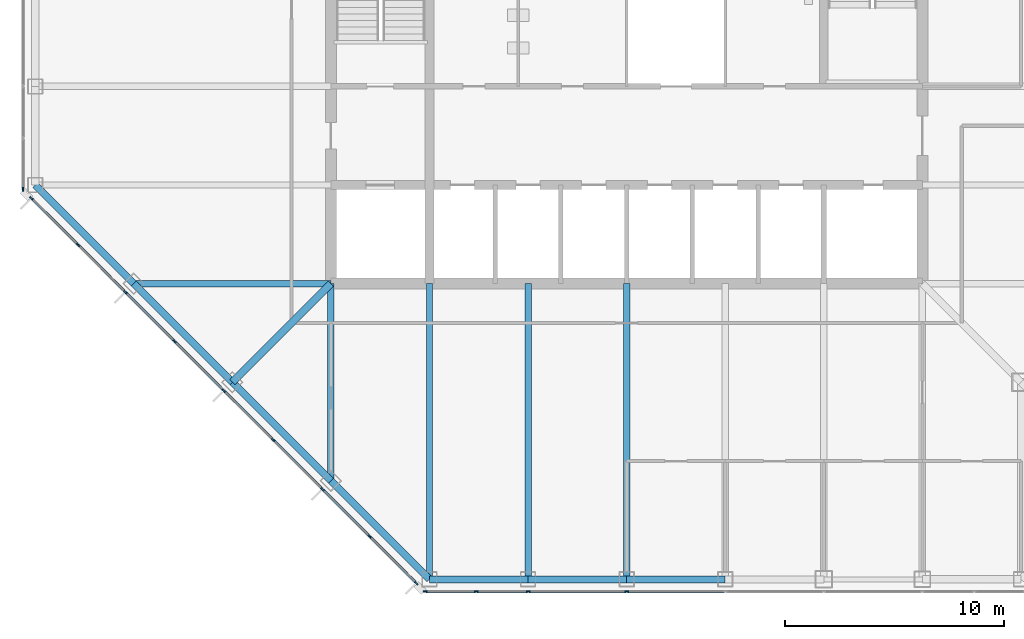
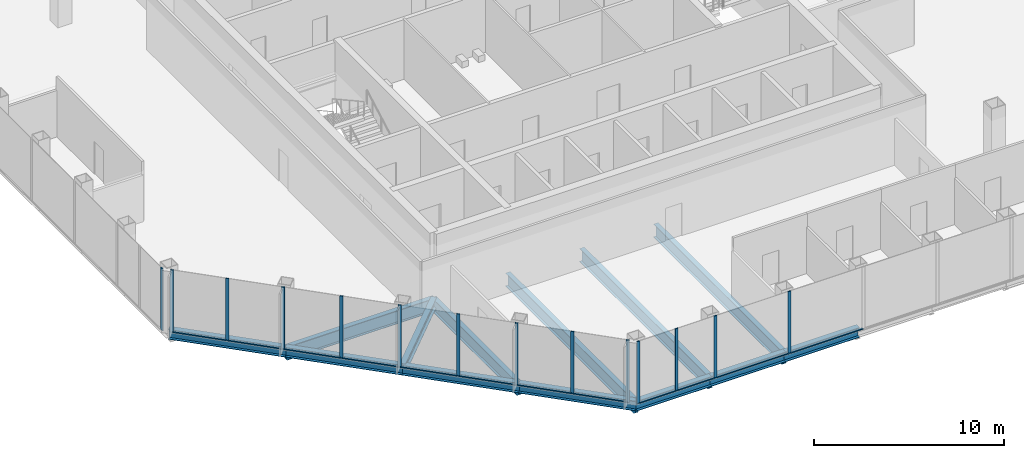
# One storey, part 2 of 12: 26 members, 13 beams, 3 elements without a shape of their own.
"""IFC4 building model written with IfcOpenShell, lengths in metres."""

import ifcopenshell
import ifcopenshell.guid

model = None  # the IFC model being written
_history = None  # IfcOwnerHistory: only IFC2X3 demands one
_inside = {}  # id of a spatial element -> (the spatial element, [elements in it])
_under = {}  # id of a project, library or spatial element -> (it, [spatial elements below it])
_declared = {}  # id of a project -> (the project, [libraries it declares])
_typed = {}  # id of a type object -> (the type object, [elements of that type])
_made_of = {}  # id of a material, layer set ... -> (it, [elements and type objects made of it])


def new_model(schema):
    """Start an empty IFC model of exactly this schema.

    Asked for "IFC4X3", IfcOpenShell would pick the latest addendum, in which some entities
    have other attributes; the version numbers below select the first issue.
    IFC2X3 requires an IfcOwnerHistory on every rooted entity: one is made here for all.
    """
    global model, _history
    if schema == "IFC4X3":
        model = ifcopenshell.file(schema_version=(4, 3, 0, 0))
    else:
        model = ifcopenshell.file(schema=schema)
    _inside.clear()
    _under.clear()
    _declared.clear()
    _typed.clear()
    _made_of.clear()
    _history = None
    if model.schema == "IFC2X3":
        org = make("IfcOrganization", Name="unknown")
        user = make(
            "IfcPersonAndOrganization",
            ThePerson=make("IfcPerson", FamilyName="unknown"),
            TheOrganization=org,
        )
        app = make(
            "IfcApplication",
            ApplicationDeveloper=org,
            Version="unknown",
            ApplicationFullName="unknown",
            ApplicationIdentifier="unknown",
        )
        _history = make(
            "IfcOwnerHistory",
            OwningUser=user,
            OwningApplication=app,
            ChangeAction="ADDED",
            CreationDate=0,
        )
    return model


def make(cls, **values):
    """One entity of the class cls with the attributes given. An attribute that is None is left unset."""
    return model.create_entity(
        cls, **{name: value for name, value in values.items() if value is not None}
    )


def rooted(cls, **values):
    """An entity with a GlobalId (a new one), such as an element, a storey or a relation."""
    return make(cls, GlobalId=ifcopenshell.guid.new(), OwnerHistory=_history, **values)


def si_unit(unit_type, name, prefix=None):
    """IfcSIUnit, for example si_unit("LENGTHUNIT", "METRE", prefix="MILLI")."""
    return make("IfcSIUnit", UnitType=unit_type, Prefix=prefix, Name=name)


def assignment(units):
    """IfcUnitAssignment: the units of a project."""
    return None if units is None else make("IfcUnitAssignment", Units=units)


def point(xyz):
    """IfcCartesianPoint."""
    return None if xyz is None else make("IfcCartesianPoint", Coordinates=xyz)


def direction(xyz):
    """IfcDirection."""
    return None if xyz is None else make("IfcDirection", DirectionRatios=xyz)


def frame(location, z_axis=None, x_axis=None):
    """IfcAxis2Placement3D, a coordinate frame: its origin and axes. An axis left out is left unset."""
    return make(
        "IfcAxis2Placement3D",
        Location=point(location),
        Axis=direction(z_axis),
        RefDirection=direction(x_axis),
    )


def frame_2d(location, x_axis=None):
    """IfcAxis2Placement2D, a coordinate frame in the plane: its origin and x axis."""
    return make(
        "IfcAxis2Placement2D", Location=point(location), RefDirection=direction(x_axis)
    )


def origin():
    """The frame at (0, 0, 0) with its axes left unset."""
    return frame((0.0, 0.0, 0.0))


def origin_2d():
    """The frame at (0, 0) in the plane with its x axis left unset."""
    return frame_2d((0.0, 0.0))


def place(relative_to, where):
    """IfcLocalPlacement: puts the frame where relative to a parent placement (None: the world)."""
    return make(
        "IfcLocalPlacement", PlacementRelTo=relative_to, RelativePlacement=where
    )


def context(
    kind, dimensions, precision=None, world=None, true_north=None, identifier=None
):
    """IfcGeometricRepresentationContext, for example the 3D "Model" context."""
    return make(
        "IfcGeometricRepresentationContext",
        ContextIdentifier=identifier,
        ContextType=kind,
        CoordinateSpaceDimension=dimensions,
        Precision=precision,
        WorldCoordinateSystem=world,
        TrueNorth=true_north,
    )


def subcontext(parent, identifier, kind, view, scale=None):
    """IfcGeometricRepresentationSubContext, for example "Body" below "Model"."""
    return make(
        "IfcGeometricRepresentationSubContext",
        ContextIdentifier=identifier,
        ContextType=kind,
        ParentContext=parent,
        TargetScale=scale,
        TargetView=view,
    )


def project(units=None, contexts=None):
    """IfcProject with its units and contexts."""
    return rooted(
        "IfcProject",
        Name="project",
        RepresentationContexts=contexts,
        UnitsInContext=assignment(units),
    )


def spatial(cls, under=None, at=None, **own):
    """A site, building, storey or space (cls), placed at a placement, below another one or the project."""
    s = rooted(cls, ObjectPlacement=at, **own)
    if under is not None:
        _under.setdefault(under.id(), (under, []))[1].append(s)
    return s


def profile(cls, at=None, kind="AREA", **sizes):
    """A parametric profile (cls). Its sizes go by their IFC names, for example OverallWidth=200.0."""
    return make(cls, ProfileType=kind, Position=at, **sizes)


def rectangle(**sizes):
    """IfcRectangleProfileDef."""
    return profile("IfcRectangleProfileDef", **sizes)


def i_section(**sizes):
    """IfcIShapeProfileDef."""
    return profile("IfcIShapeProfileDef", **sizes)


def extrude(swept, where, along, depth):
    """IfcExtrudedAreaSolid: the profile swept, set in the frame where, extruded along a direction by depth."""
    return make(
        "IfcExtrudedAreaSolid",
        SweptArea=swept,
        Position=where,
        ExtrudedDirection=direction(along),
        Depth=depth,
    )


def shape(context_of_items, identifier, shape_type, items):
    """IfcShapeRepresentation: the items that make up one representation, for example the "Body"."""
    return make(
        "IfcShapeRepresentation",
        ContextOfItems=context_of_items,
        RepresentationIdentifier=identifier,
        RepresentationType=shape_type,
        Items=items,
    )


def material(Name=None, Category=None):
    """IfcMaterial."""
    return make("IfcMaterial", Name=Name, Category=Category)


def material_profile(
    of_material, cross_section, Name=None, Category=None, Priority=None
):
    """IfcMaterialProfile: a cross section and its material."""
    return make(
        "IfcMaterialProfile",
        Name=Name,
        Material=of_material,
        Profile=cross_section,
        Priority=Priority,
        Category=Category,
    )


def profile_set(profiles, Name=None, composite=None):
    """IfcMaterialProfileSet."""
    return make(
        "IfcMaterialProfileSet",
        Name=Name,
        MaterialProfiles=profiles,
        CompositeProfile=composite,
    )


def made_of(thing, what):
    """Note that an element or type object is made of a material, layer set ...; save() writes the relation."""
    if what is not None:
        _made_of.setdefault(what.id(), (what, []))[1].append(thing)
    return thing


def type_object(cls, material=None, **own):
    """A type object (cls), such as IfcWallType, which elements share."""
    return made_of(rooted(cls, **own), material)


def element(
    cls,
    number,
    at=None,
    inside=None,
    cuts=None,
    type_object=None,
    material=None,
    context=None,
    identifier="Body",
    shape_type=None,
    held_by="IfcProductDefinitionShape",
    body=None,
    shapes=None,
    **own,
):
    """One element of the class cls, such as IfcWall. Its Tag is "e" and its number.

    at: its placement. inside: the storey or other place that contains it. cuts: it is an
    opening in that element (IfcRelVoidsElement). A single representation is given by context,
    identifier, shape_type and body (its items); several are given by shapes. held_by: the class
    of the entity that holds the representations. save() writes the other relations.
    """
    e = rooted(cls, Tag="e%d" % number, ObjectPlacement=at, **own)
    if body is not None:
        shapes = [shape(context, identifier, shape_type, body)]
    if shapes is not None:
        e.Representation = make(held_by, Representations=shapes)
    if inside is not None:
        _inside.setdefault(inside.id(), (inside, []))[1].append(e)
    if cuts is not None:
        rooted(
            "IfcRelVoidsElement", RelatingBuildingElement=cuts, RelatedOpeningElement=e
        )
    if type_object is not None:
        _typed.setdefault(type_object.id(), (type_object, []))[1].append(e)
    return made_of(e, material)


def aggregate(whole, parts):
    """IfcRelAggregates: a whole, such as a stair, and the parts it consists of."""
    return rooted("IfcRelAggregates", RelatingObject=whole, RelatedObjects=parts)


def save(model, path):
    """Write the relations noted so far, then the file.

    IfcRelAggregates (storeys below a building ...), IfcRelContainedInSpatialStructure (elements
    in a storey), IfcRelDefinesByType, IfcRelAssociatesMaterial and IfcRelDeclares: one each for
    every whole, place, type object, material and project.
    """
    for whole, parts in _under.values():
        aggregate(whole, parts)
    for where, things in _inside.values():
        rooted(
            "IfcRelContainedInSpatialStructure",
            RelatedElements=things,
            RelatingStructure=where,
        )
    for kind, things in _typed.values():
        rooted("IfcRelDefinesByType", RelatedObjects=things, RelatingType=kind)
    for what, things in _made_of.values():
        rooted("IfcRelAssociatesMaterial", RelatedObjects=things, RelatingMaterial=what)
    for by, libraries in _declared.values():
        rooted("IfcRelDeclares", RelatingContext=by, RelatedDefinitions=libraries)
    model.write(path)


model = new_model("IFC4")

# Units and contexts
model_context = context("Model", 3, precision=1e-05, world=origin(), true_north=direction((0.0, 1.0)))
body_context = subcontext(model_context, "Body", "Model", "MODEL_VIEW")
ifc_project = project(units=[si_unit("LENGTHUNIT", "METRE"), si_unit("AREAUNIT", "SQUARE_METRE"), si_unit("VOLUMEUNIT", "CUBIC_METRE"), si_unit("PLANEANGLEUNIT", "RADIAN"), si_unit("MASSUNIT", "GRAM", prefix="KILO")], contexts=[model_context])

# Site, building, storey
site_placement = place(None, origin())
site = spatial("IfcSite", under=ifc_project, at=site_placement, CompositionType="ELEMENT")
building_placement = place(site_placement, origin())
building = spatial("IfcBuilding", under=site, at=building_placement, Name="Corais Broadcast Tower", CompositionType="ELEMENT")
storey_placement = place(building_placement, frame((0.0, 0.0, 163.60009765625)))
storey = spatial("IfcBuildingStorey", under=building, at=storey_placement, Name="L37", CompositionType="ELEMENT", Elevation=163.60009765625)

# Beams
ifc_material_1 = material(Name="Steel ASTM A572 Grade 50", Category="steel")
ifc_material_profile_1 = material_profile(ifc_material_1, i_section(OverallWidth=0.323974609375, OverallDepth=0.611083984375, WebThickness=0.0126953125, FlangeThickness=0.01904296875, at=origin_2d()), Name="W610x155")
ifc_profile_set_1 = profile_set([ifc_material_profile_1], Name="Steel ASTM A572 Grade 50")
beam_type_1 = type_object("IfcBeamType", Name="Corner diagonal W610x155", PredefinedType="BEAM", material=ifc_profile_set_1)
beam_1_placement = place(storey_placement, frame((9.0, 9.0, -0.465576171875), z_axis=(0.707106781187, 0.707106781187, 0.0), x_axis=(-0.707106781187, 0.707106781187, 0.0)))
element("IfcBeam", 1, at=beam_1_placement, inside=storey, type_object=beam_type_1, Name="B6 C/5 to D/6", PredefinedType="BEAM", context=body_context, shape_type="SweptSolid", body=[
    extrude(i_section(OverallWidth=0.323974609375, OverallDepth=0.611083984375, WebThickness=0.0126953125, FlangeThickness=0.01904296875, at=origin_2d()), origin(), (0.0, 0.0, 1.0), 6.364013671875),
])
ifc_material_2 = material(Name="Steel ASTM A572 Grade 50", Category="steel")
ifc_material_profile_2 = material_profile(ifc_material_2, i_section(OverallWidth=0.2939453125, OverallDepth=0.85107421875, WebThickness=0.01611328125, FlangeThickness=0.02685546875, at=origin_2d()), Name="W840x226")
ifc_profile_set_2 = profile_set([ifc_material_profile_2], Name="Steel ASTM A572 Grade 50")
beam_type_2 = type_object("IfcBeamType", Name="Floor beam W840x226", PredefinedType="BEAM", material=ifc_profile_set_2)
beam_2_placement = place(storey_placement, frame((13.5, 4.5, -0.585693359375), z_axis=(0.0, 1.0, 0.0), x_axis=(-1.0, 0.0, 0.0)))
element("IfcBeam", 2, at=beam_2_placement, inside=storey, type_object=beam_type_2, Name="B1 B/6 to D/6", PredefinedType="BEAM", context=body_context, shape_type="SweptSolid", body=[
    extrude(i_section(OverallWidth=0.2939453125, OverallDepth=0.85107421875, WebThickness=0.01611328125, FlangeThickness=0.02685546875, at=origin_2d()), origin(), (0.0, 0.0, 1.0), 9.0),
])
for number, where, z_axis, x_axis, name in (
    (3, (18.0, 0.0, -0.585693359375), (0.0, 1.0, 0.0), (-1.0, 0.0, 0.0), "B1 A/7 to D/7"),
    (4, (22.5, 0.0, -0.585693359375), (0.0, 1.0, 0.0), (-1.0, 0.0, 0.0), "B1 A/8 to D/8"),
    (5, (27.0, 0.0, -0.585693359375), (0.0, 1.0, 0.0), (-1.0, 0.0, 0.0), "B1 A/9 to D/9"),
):
    element("IfcBeam", number, at=place(storey_placement, frame(where, z_axis=z_axis, x_axis=x_axis)), inside=storey, type_object=beam_type_2, Name=name, PredefinedType="BEAM", context=body_context, shape_type="SweptSolid", body=[
        extrude(i_section(OverallWidth=0.2939453125, OverallDepth=0.85107421875, WebThickness=0.01611328125, FlangeThickness=0.02685546875, at=origin_2d()), origin(), (0.0, 0.0, 1.0), 13.5),
    ])
beam_3_placement = place(storey_placement, frame((4.5, 13.5, -0.585693359375), z_axis=(1.0, 0.0, 0.0), x_axis=(0.0, 1.0, 0.0)))
element("IfcBeam", 6, at=beam_3_placement, inside=storey, type_object=beam_type_2, Name="B1 D/4 to D/6", PredefinedType="BEAM", context=body_context, shape_type="SweptSolid", body=[
    extrude(i_section(OverallWidth=0.2939453125, OverallDepth=0.85107421875, WebThickness=0.01611328125, FlangeThickness=0.02685546875, at=origin_2d()), origin(), (0.0, 0.0, 1.0), 9.0),
])

# Curtain wall, members
ifc_material_3 = material(Name="Aluminium and glass", Category="aluminium")
curtain_wall_type = type_object("IfcCurtainWallType", Name="Unitised fritted curtain wall CW2", PredefinedType="NOTDEFINED", material=ifc_material_3)
curtain_wall_1_placement = place(storey_placement, origin())
curtain_wall_1 = element("IfcCurtainWall", 7, at=curtain_wall_1_placement, inside=storey, type_object=curtain_wall_type, Name="CW2 curtain wall L37 1", PredefinedType="NOTDEFINED")
ifc_material_4 = material(Name="Aluminium 6063-T6", Category="aluminium")
ifc_material_profile_3 = material_profile(ifc_material_4, rectangle(XDim=0.06494140625, YDim=0.179931640625, at=origin_2d()), Name="Mullion CW2 65x180")
ifc_profile_set_3 = profile_set([ifc_material_profile_3], Name="Aluminium 6063-T6")
member_type_1 = type_object("IfcMemberType", Name="Mullion CW2 65x180", PredefinedType="MULLION", material=ifc_profile_set_3)
member_1_placement = place(storey_placement, frame((17.3955078125, -0.17333984375, 0.0), z_axis=(0.0, 0.0, 1.0), x_axis=(-0.707106781187, -0.707106781187, 0.0)))
member_1 = element("IfcMember", 8, at=member_1_placement, type_object=member_type_1, Name="CW2 mullion 1", PredefinedType="MULLION", context=body_context, shape_type="SweptSolid", body=[
    extrude(rectangle(XDim=0.06494140625, YDim=0.179931640625, at=origin_2d()), origin(), (0.0, 0.0, 1.0), 4.0),
])
member_2_placement = place(storey_placement, frame((15.264892578125, 1.957275390625, 0.0), z_axis=(0.0, 0.0, 1.0), x_axis=(-0.707106781187, -0.707106781187, 0.0)))
member_2 = element("IfcMember", 9, at=member_2_placement, type_object=member_type_1, Name="CW2 mullion 2", PredefinedType="MULLION", context=body_context, shape_type="SweptSolid", body=[
    extrude(rectangle(XDim=0.06494140625, YDim=0.179931640625, at=origin_2d()), origin(), (0.0, 0.0, 1.0), 4.0),
])
member_3_placement = place(storey_placement, frame((13.111083984375, 4.111083984375, 0.0), z_axis=(0.0, 0.0, 1.0), x_axis=(-0.707106781187, -0.707106781187, 0.0)))
member_3 = element("IfcMember", 10, at=member_3_placement, type_object=member_type_1, Name="CW2 mullion 3", PredefinedType="MULLION", context=body_context, shape_type="SweptSolid", body=[
    extrude(rectangle(XDim=0.06494140625, YDim=0.179931640625, at=origin_2d()), origin(), (0.0, 0.0, 1.0), 4.0),
])
member_4_placement = place(storey_placement, frame((10.861083984375, 6.361083984375, 0.0), z_axis=(0.0, 0.0, 1.0), x_axis=(-0.707106781187, -0.707106781187, 0.0)))
member_4 = element("IfcMember", 11, at=member_4_placement, type_object=member_type_1, Name="CW2 mullion 4", PredefinedType="MULLION", context=body_context, shape_type="SweptSolid", body=[
    extrude(rectangle(XDim=0.06494140625, YDim=0.179931640625, at=origin_2d()), origin(), (0.0, 0.0, 1.0), 4.0),
])
member_5_placement = place(storey_placement, frame((8.611083984375, 8.611083984375, 0.0), z_axis=(0.0, 0.0, 1.0), x_axis=(-0.707106781187, -0.707106781187, 0.0)))
member_5 = element("IfcMember", 12, at=member_5_placement, type_object=member_type_1, Name="CW2 mullion 5", PredefinedType="MULLION", context=body_context, shape_type="SweptSolid", body=[
    extrude(rectangle(XDim=0.06494140625, YDim=0.179931640625, at=origin_2d()), origin(), (0.0, 0.0, 1.0), 4.0),
])
member_6_placement = place(storey_placement, frame((6.361083984375, 10.861083984375, 0.0), z_axis=(0.0, 0.0, 1.0), x_axis=(-0.707106781187, -0.707106781187, 0.0)))
member_6 = element("IfcMember", 13, at=member_6_placement, type_object=member_type_1, Name="CW2 mullion 6", PredefinedType="MULLION", context=body_context, shape_type="SweptSolid", body=[
    extrude(rectangle(XDim=0.06494140625, YDim=0.179931640625, at=origin_2d()), origin(), (0.0, 0.0, 1.0), 4.0),
])
member_7_placement = place(storey_placement, frame((4.111083984375, 13.111083984375, 0.0), z_axis=(0.0, 0.0, 1.0), x_axis=(-0.707106781187, -0.707106781187, 0.0)))
member_7 = element("IfcMember", 14, at=member_7_placement, type_object=member_type_1, Name="CW2 mullion 7", PredefinedType="MULLION", context=body_context, shape_type="SweptSolid", body=[
    extrude(rectangle(XDim=0.06494140625, YDim=0.179931640625, at=origin_2d()), origin(), (0.0, 0.0, 1.0), 4.0),
])
member_8_placement = place(storey_placement, frame((1.957275390625, 15.264892578125, 0.0), z_axis=(0.0, 0.0, 1.0), x_axis=(-0.707106781187, -0.707106781187, 0.0)))
member_8 = element("IfcMember", 15, at=member_8_placement, type_object=member_type_1, Name="CW2 mullion 8", PredefinedType="MULLION", context=body_context, shape_type="SweptSolid", body=[
    extrude(rectangle(XDim=0.06494140625, YDim=0.179931640625, at=origin_2d()), origin(), (0.0, 0.0, 1.0), 4.0),
])
member_9_placement = place(storey_placement, frame((-0.17333984375, 17.3955078125, 0.0), z_axis=(0.0, 0.0, 1.0), x_axis=(-0.707106781187, -0.707106781187, 0.0)))
member_9 = element("IfcMember", 16, at=member_9_placement, type_object=member_type_1, Name="CW2 mullion 9", PredefinedType="MULLION", context=body_context, shape_type="SweptSolid", body=[
    extrude(rectangle(XDim=0.06494140625, YDim=0.179931640625, at=origin_2d()), origin(), (0.0, 0.0, 1.0), 4.0),
])

# Curtain wall, member
curtain_wall_2_placement = place(storey_placement, origin())
curtain_wall_2 = element("IfcCurtainWall", 17, at=curtain_wall_2_placement, inside=storey, type_object=curtain_wall_type, Name="CW2 curtain wall L37 2", PredefinedType="NOTDEFINED")
member_10_placement = place(storey_placement, frame((-0.550048828125, 17.8046875, 0.0), z_axis=(0.0, 0.0, 1.0), x_axis=(-1.0, 0.0, 0.0)))
member_10 = element("IfcMember", 18, at=member_10_placement, type_object=member_type_1, Name="CW2 mullion 1", PredefinedType="MULLION", context=body_context, shape_type="SweptSolid", body=[
    extrude(rectangle(XDim=0.06494140625, YDim=0.179931640625, at=origin_2d()), origin(), (0.0, 0.0, 1.0), 4.0),
])
aggregate(curtain_wall_2, [member_10])

# Curtain wall, members
curtain_wall_3_placement = place(storey_placement, origin())
curtain_wall_3 = element("IfcCurtainWall", 19, at=curtain_wall_3_placement, inside=storey, type_object=curtain_wall_type, Name="CW2 curtain wall L37 8", PredefinedType="NOTDEFINED")
member_11_placement = place(storey_placement, frame((27.0, -0.550048828125, 0.0), z_axis=(0.0, 0.0, 1.0), x_axis=(0.0, -1.0, 0.0)))
member_11 = element("IfcMember", 20, at=member_11_placement, type_object=member_type_1, Name="CW2 mullion 6", PredefinedType="MULLION", context=body_context, shape_type="SweptSolid", body=[
    extrude(rectangle(XDim=0.06494140625, YDim=0.179931640625, at=origin_2d()), origin(), (0.0, 0.0, 1.0), 4.0),
])
member_12_placement = place(storey_placement, frame((22.5, -0.550048828125, 0.0), z_axis=(0.0, 0.0, 1.0), x_axis=(0.0, -1.0, 0.0)))
member_12 = element("IfcMember", 21, at=member_12_placement, type_object=member_type_1, Name="CW2 mullion 7", PredefinedType="MULLION", context=body_context, shape_type="SweptSolid", body=[
    extrude(rectangle(XDim=0.06494140625, YDim=0.179931640625, at=origin_2d()), origin(), (0.0, 0.0, 1.0), 4.0),
])
member_13_placement = place(storey_placement, frame((20.135986328125, -0.550048828125, 0.0), z_axis=(0.0, 0.0, 1.0), x_axis=(0.0, -1.0, 0.0)))
member_13 = element("IfcMember", 22, at=member_13_placement, type_object=member_type_1, Name="CW2 mullion 8", PredefinedType="MULLION", context=body_context, shape_type="SweptSolid", body=[
    extrude(rectangle(XDim=0.06494140625, YDim=0.179931640625, at=origin_2d()), origin(), (0.0, 0.0, 1.0), 4.0),
])
member_14_placement = place(storey_placement, frame((17.8046875, -0.550048828125, 0.0), z_axis=(0.0, 0.0, 1.0), x_axis=(0.0, -1.0, 0.0)))
member_14 = element("IfcMember", 23, at=member_14_placement, type_object=member_type_1, Name="CW2 mullion 9", PredefinedType="MULLION", context=body_context, shape_type="SweptSolid", body=[
    extrude(rectangle(XDim=0.06494140625, YDim=0.179931640625, at=origin_2d()), origin(), (0.0, 0.0, 1.0), 4.0),
])

# Beams
ifc_material_5 = material(Name="Steel ASTM A572 Grade 50", Category="steel")
ifc_material_profile_4 = material_profile(ifc_material_5, i_section(OverallWidth=0.3291015625, OverallDepth=0.635009765625, WebThickness=0.017822265625, FlangeThickness=0.031005859375, at=origin_2d()), Name="W610x241")
ifc_profile_set_4 = profile_set([ifc_material_profile_4], Name="Steel ASTM A572 Grade 50")
beam_type_3 = type_object("IfcBeamType", Name="Spandrel W610x241", PredefinedType="BEAM", material=ifc_profile_set_4)
for number, where, z_axis, x_axis, name in (
    (24, (0.0, 18.0, -0.4775390625), (0.707106781187, -0.707106781187, 0.0), (0.707106781187, 0.707106781187, 0.0), "SB1 E/3 to D/4"),
    (25, (13.5, 4.5, -0.4775390625), (0.707106781187, -0.707106781187, 0.0), (0.707106781187, 0.707106781187, 0.0), "SB1 B/6 to A/7"),
):
    element("IfcBeam", number, at=place(storey_placement, frame(where, z_axis=z_axis, x_axis=x_axis)), inside=storey, type_object=beam_type_3, Name=name, PredefinedType="BEAM", context=body_context, shape_type="SweptSolid", body=[
        extrude(i_section(OverallWidth=0.3291015625, OverallDepth=0.635009765625, WebThickness=0.017822265625, FlangeThickness=0.031005859375, at=origin_2d()), origin(), (0.0, 0.0, 1.0), 6.364013671875),
    ])
for number, where, z_axis, x_axis, name in (
    (26, (18.0, 0.0, -0.4775390625), (1.0, 0.0, 0.0), (0.0, 1.0, 0.0), "SB1 A/7 to A/8"),
    (27, (22.5, 0.0, -0.4775390625), (1.0, 0.0, 0.0), (0.0, 1.0, 0.0), "SB1 A/8 to A/9"),
    (28, (27.0, 0.0, -0.4775390625), (1.0, 0.0, 0.0), (0.0, 1.0, 0.0), "SB1 A/9 to A/10"),
):
    element("IfcBeam", number, at=place(storey_placement, frame(where, z_axis=z_axis, x_axis=x_axis)), inside=storey, type_object=beam_type_3, Name=name, PredefinedType="BEAM", context=body_context, shape_type="SweptSolid", body=[
        extrude(i_section(OverallWidth=0.3291015625, OverallDepth=0.635009765625, WebThickness=0.017822265625, FlangeThickness=0.031005859375, at=origin_2d()), origin(), (0.0, 0.0, 1.0), 4.5),
    ])
for number, where, z_axis, x_axis, name in (
    (29, (4.5, 13.5, -0.4775390625), (0.707106781187, -0.707106781187, 0.0), (0.707106781187, 0.707106781187, 0.0), "SB1 D/4 to C/5"),
    (30, (9.0, 9.0, -0.4775390625), (0.707106781187, -0.707106781187, 0.0), (0.707106781187, 0.707106781187, 0.0), "SB1 C/5 to B/6"),
):
    element("IfcBeam", number, at=place(storey_placement, frame(where, z_axis=z_axis, x_axis=x_axis)), inside=storey, type_object=beam_type_3, Name=name, PredefinedType="BEAM", context=body_context, shape_type="SweptSolid", body=[
        extrude(i_section(OverallWidth=0.3291015625, OverallDepth=0.635009765625, WebThickness=0.017822265625, FlangeThickness=0.031005859375, at=origin_2d()), origin(), (0.0, 0.0, 1.0), 6.364013671875),
    ])

# Member
ifc_material_6 = material(Name="Aluminium 6063-T6", Category="aluminium")
ifc_material_profile_5 = material_profile(ifc_material_6, rectangle(XDim=0.1298828125, YDim=0.06494140625, at=origin_2d()), Name="Transom CW2 65x130")
ifc_profile_set_5 = profile_set([ifc_material_profile_5], Name="Aluminium 6063-T6")
member_type_2 = type_object("IfcMemberType", Name="Transom CW2 65x130", PredefinedType="USERDEFINED", material=ifc_profile_set_5)
member_15_placement = place(storey_placement, frame((17.37255859375, -0.150390625, 0.032470703125), z_axis=(-0.707106781187, 0.707106781187, 0.0), x_axis=(-0.707106781187, -0.707106781187, 0.0)))
member_15 = element("IfcMember", 31, at=member_15_placement, type_object=member_type_2, Name="CW2 transom 1.1", ObjectType="TRANSOM", PredefinedType="USERDEFINED", context=body_context, shape_type="SweptSolid", body=[
    extrude(rectangle(XDim=0.1298828125, YDim=0.06494140625, at=origin_2d()), origin(), (0.0, 0.0, 1.0), 2.9482421875),
])

member_16_placement = place(storey_placement, frame((15.241943359375, 1.980224609375, 0.032470703125), z_axis=(-0.707106781187, 0.707106781187, 0.0), x_axis=(-0.707106781187, -0.707106781187, 0.0)))
member_16 = element("IfcMember", 32, at=member_16_placement, type_object=member_type_2, Name="CW2 transom 2.1", ObjectType="TRANSOM", PredefinedType="USERDEFINED", context=body_context, shape_type="SweptSolid", body=[
    extrude(rectangle(XDim=0.1298828125, YDim=0.06494140625, at=origin_2d()), origin(), (0.0, 0.0, 1.0), 2.98095703125),
])

member_17_placement = place(storey_placement, frame((13.088134765625, 4.134033203125, 0.032470703125), z_axis=(-0.707106781187, 0.707106781187, 0.0), x_axis=(-0.707106781187, -0.707106781187, 0.0)))
member_17 = element("IfcMember", 33, at=member_17_placement, type_object=member_type_2, Name="CW2 transom 3.1", ObjectType="TRANSOM", PredefinedType="USERDEFINED", context=body_context, shape_type="SweptSolid", body=[
    extrude(rectangle(XDim=0.1298828125, YDim=0.06494140625, at=origin_2d()), origin(), (0.0, 0.0, 1.0), 3.1171875),
])

member_18_placement = place(storey_placement, frame((10.838134765625, 6.384033203125, 0.032470703125), z_axis=(-0.707106781187, 0.707106781187, 0.0), x_axis=(-0.707106781187, -0.707106781187, 0.0)))
member_18 = element("IfcMember", 34, at=member_18_placement, type_object=member_type_2, Name="CW2 transom 4.1", ObjectType="TRANSOM", PredefinedType="USERDEFINED", context=body_context, shape_type="SweptSolid", body=[
    extrude(rectangle(XDim=0.1298828125, YDim=0.06494140625, at=origin_2d()), origin(), (0.0, 0.0, 1.0), 3.1171875),
])

member_19_placement = place(storey_placement, frame((8.588134765625, 8.634033203125, 0.032470703125), z_axis=(-0.707106781187, 0.707106781187, 0.0), x_axis=(-0.707106781187, -0.707106781187, 0.0)))
member_19 = element("IfcMember", 35, at=member_19_placement, type_object=member_type_2, Name="CW2 transom 5.1", ObjectType="TRANSOM", PredefinedType="USERDEFINED", context=body_context, shape_type="SweptSolid", body=[
    extrude(rectangle(XDim=0.1298828125, YDim=0.06494140625, at=origin_2d()), origin(), (0.0, 0.0, 1.0), 3.1171875),
])

member_20_placement = place(storey_placement, frame((6.338134765625, 10.884033203125, 0.032470703125), z_axis=(-0.707106781187, 0.707106781187, 0.0), x_axis=(-0.707106781187, -0.707106781187, 0.0)))
member_20 = element("IfcMember", 36, at=member_20_placement, type_object=member_type_2, Name="CW2 transom 6.1", ObjectType="TRANSOM", PredefinedType="USERDEFINED", context=body_context, shape_type="SweptSolid", body=[
    extrude(rectangle(XDim=0.1298828125, YDim=0.06494140625, at=origin_2d()), origin(), (0.0, 0.0, 1.0), 3.1171875),
])

member_21_placement = place(storey_placement, frame((4.088134765625, 13.134033203125, 0.032470703125), z_axis=(-0.707065828661, 0.70714773134, 0.0), x_axis=(-0.70714773134, -0.707065828661, 0.0)))
member_21 = element("IfcMember", 37, at=member_21_placement, type_object=member_type_2, Name="CW2 transom 7.1", ObjectType="TRANSOM", PredefinedType="USERDEFINED", context=body_context, shape_type="SweptSolid", body=[
    extrude(rectangle(XDim=0.1298828125, YDim=0.06494140625, at=origin_2d()), origin(), (0.0, 0.0, 1.0), 2.98095703125),
])

member_22_placement = place(storey_placement, frame((1.934326171875, 15.287841796875, 0.032470703125), z_axis=(-0.707106781187, 0.707106781187, 0.0), x_axis=(-0.707106781187, -0.707106781187, 0.0)))
member_22 = element("IfcMember", 38, at=member_22_placement, type_object=member_type_2, Name="CW2 transom 8.1", ObjectType="TRANSOM", PredefinedType="USERDEFINED", context=body_context, shape_type="SweptSolid", body=[
    extrude(rectangle(XDim=0.1298828125, YDim=0.06494140625, at=origin_2d()), origin(), (0.0, 0.0, 1.0), 2.9482421875),
])

aggregate(curtain_wall_1, [member_1, member_2, member_3, member_4, member_5, member_6, member_7, member_8, member_9, member_15, member_16, member_17, member_18, member_19, member_20, member_21, member_22])

member_23_placement = place(storey_placement, frame((31.467529296875, -0.550048828125, 0.032470703125), z_axis=(-1.0, 0.0, 0.0), x_axis=(0.0, -1.0, 0.0)))
member_23 = element("IfcMember", 39, at=member_23_placement, type_object=member_type_2, Name="CW2 transom 5.1", ObjectType="TRANSOM", PredefinedType="USERDEFINED", context=body_context, shape_type="SweptSolid", body=[
    extrude(rectangle(XDim=0.1298828125, YDim=0.06494140625, at=origin_2d()), origin(), (0.0, 0.0, 1.0), 4.43505859375),
])

member_24_placement = place(storey_placement, frame((26.967529296875, -0.550048828125, 0.032470703125), z_axis=(-1.0, 0.0, 0.0), x_axis=(0.0, -1.0, 0.0)))
member_24 = element("IfcMember", 40, at=member_24_placement, type_object=member_type_2, Name="CW2 transom 6.1", ObjectType="TRANSOM", PredefinedType="USERDEFINED", context=body_context, shape_type="SweptSolid", body=[
    extrude(rectangle(XDim=0.1298828125, YDim=0.06494140625, at=origin_2d()), origin(), (0.0, 0.0, 1.0), 4.43505859375),
])

member_25_placement = place(storey_placement, frame((22.467529296875, -0.550048828125, 0.032470703125), z_axis=(-1.0, 0.0, 0.0), x_axis=(0.0, -1.0, 0.0)))
member_25 = element("IfcMember", 41, at=member_25_placement, type_object=member_type_2, Name="CW2 transom 7.1", ObjectType="TRANSOM", PredefinedType="USERDEFINED", context=body_context, shape_type="SweptSolid", body=[
    extrude(rectangle(XDim=0.1298828125, YDim=0.06494140625, at=origin_2d()), origin(), (0.0, 0.0, 1.0), 2.298828125),
])

member_26_placement = place(storey_placement, frame((20.103515625, -0.550048828125, 0.032470703125), z_axis=(-1.0, 0.0, 0.0), x_axis=(0.0, -1.0, 0.0)))
member_26 = element("IfcMember", 42, at=member_26_placement, type_object=member_type_2, Name="CW2 transom 8.1", ObjectType="TRANSOM", PredefinedType="USERDEFINED", context=body_context, shape_type="SweptSolid", body=[
    extrude(rectangle(XDim=0.1298828125, YDim=0.06494140625, at=origin_2d()), origin(), (0.0, 0.0, 1.0), 2.266357421875),
])

aggregate(curtain_wall_3, [member_11, member_12, member_13, member_14, member_23, member_24, member_25, member_26])

save(model, "model.ifc")
